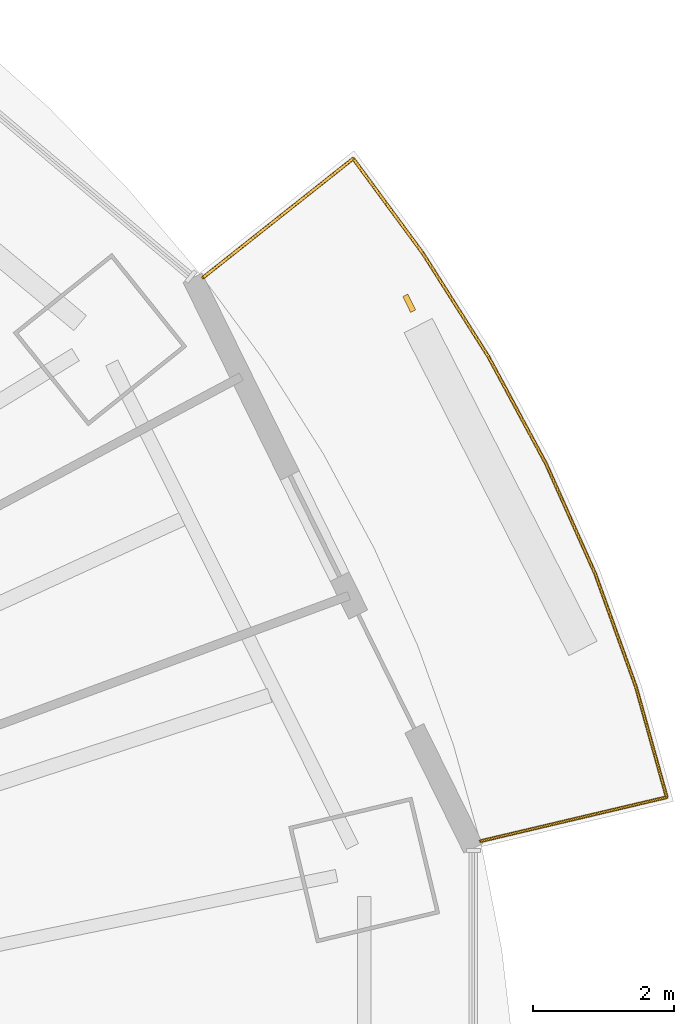
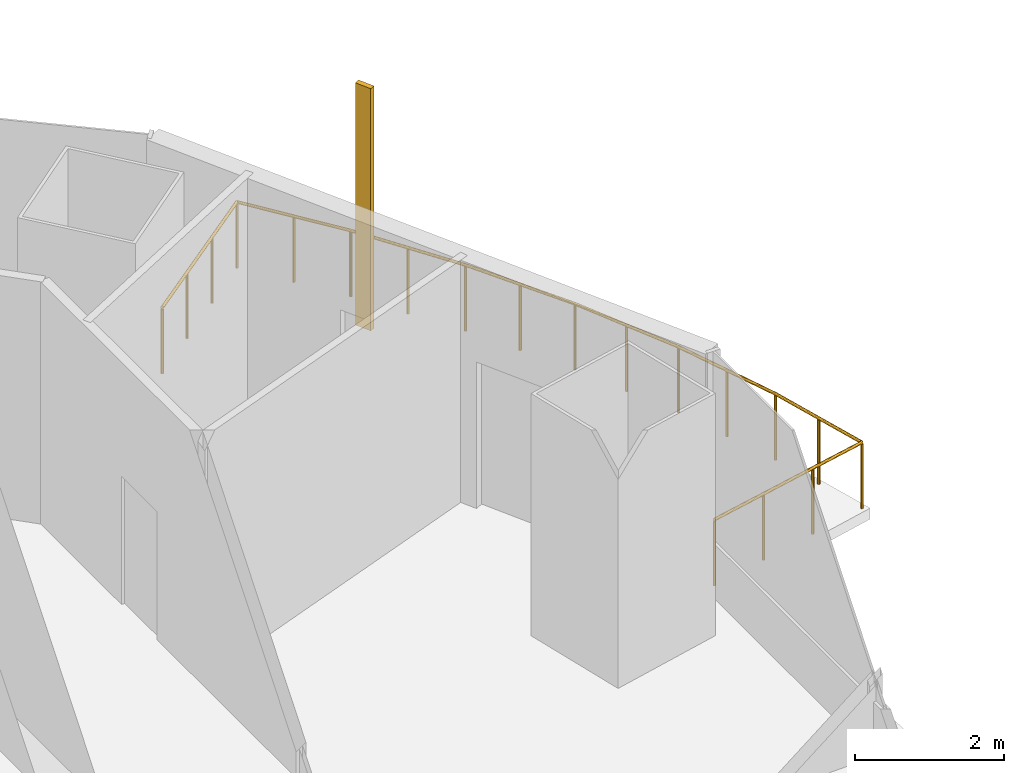
# One storey, part 15 of 16: 1 railing, 1 shading device.
"""IFC4 building model written with IfcOpenShell, lengths in metres."""

import ifcopenshell
import ifcopenshell.guid

model = None  # the IFC model being written
_history = None  # IfcOwnerHistory: only IFC2X3 demands one
_inside = {}  # id of a spatial element -> (the spatial element, [elements in it])
_under = {}  # id of a project, library or spatial element -> (it, [spatial elements below it])
_declared = {}  # id of a project -> (the project, [libraries it declares])
_typed = {}  # id of a type object -> (the type object, [elements of that type])
_made_of = {}  # id of a material, layer set ... -> (it, [elements and type objects made of it])


def new_model(schema):
    """Start an empty IFC model of exactly this schema.

    Asked for "IFC4X3", IfcOpenShell would pick the latest addendum, in which some entities
    have other attributes; the version numbers below select the first issue.
    IFC2X3 requires an IfcOwnerHistory on every rooted entity: one is made here for all.
    """
    global model, _history
    if schema == "IFC4X3":
        model = ifcopenshell.file(schema_version=(4, 3, 0, 0))
    else:
        model = ifcopenshell.file(schema=schema)
    _inside.clear()
    _under.clear()
    _declared.clear()
    _typed.clear()
    _made_of.clear()
    _history = None
    if model.schema == "IFC2X3":
        org = make("IfcOrganization", Name="unknown")
        user = make(
            "IfcPersonAndOrganization",
            ThePerson=make("IfcPerson", FamilyName="unknown"),
            TheOrganization=org,
        )
        app = make(
            "IfcApplication",
            ApplicationDeveloper=org,
            Version="unknown",
            ApplicationFullName="unknown",
            ApplicationIdentifier="unknown",
        )
        _history = make(
            "IfcOwnerHistory",
            OwningUser=user,
            OwningApplication=app,
            ChangeAction="ADDED",
            CreationDate=0,
        )
    return model


def make(cls, **values):
    """One entity of the class cls with the attributes given. An attribute that is None is left unset."""
    return model.create_entity(
        cls, **{name: value for name, value in values.items() if value is not None}
    )


def rooted(cls, **values):
    """An entity with a GlobalId (a new one), such as an element, a storey or a relation."""
    return make(cls, GlobalId=ifcopenshell.guid.new(), OwnerHistory=_history, **values)


def si_unit(unit_type, name, prefix=None):
    """IfcSIUnit, for example si_unit("LENGTHUNIT", "METRE", prefix="MILLI")."""
    return make("IfcSIUnit", UnitType=unit_type, Prefix=prefix, Name=name)


def assignment(units):
    """IfcUnitAssignment: the units of a project."""
    return None if units is None else make("IfcUnitAssignment", Units=units)


def point(xyz):
    """IfcCartesianPoint."""
    return None if xyz is None else make("IfcCartesianPoint", Coordinates=xyz)


def direction(xyz):
    """IfcDirection."""
    return None if xyz is None else make("IfcDirection", DirectionRatios=xyz)


def frame(location, z_axis=None, x_axis=None):
    """IfcAxis2Placement3D, a coordinate frame: its origin and axes. An axis left out is left unset."""
    return make(
        "IfcAxis2Placement3D",
        Location=point(location),
        Axis=direction(z_axis),
        RefDirection=direction(x_axis),
    )


def frame_2d(location, x_axis=None):
    """IfcAxis2Placement2D, a coordinate frame in the plane: its origin and x axis."""
    return make(
        "IfcAxis2Placement2D", Location=point(location), RefDirection=direction(x_axis)
    )


def origin():
    """The frame at (0, 0, 0) with its axes left unset."""
    return frame((0.0, 0.0, 0.0))


def origin_2d():
    """The frame at (0, 0) in the plane with its x axis left unset."""
    return frame_2d((0.0, 0.0))


def place(relative_to, where):
    """IfcLocalPlacement: puts the frame where relative to a parent placement (None: the world)."""
    return make(
        "IfcLocalPlacement", PlacementRelTo=relative_to, RelativePlacement=where
    )


def context(
    kind, dimensions, precision=None, world=None, true_north=None, identifier=None
):
    """IfcGeometricRepresentationContext, for example the 3D "Model" context."""
    return make(
        "IfcGeometricRepresentationContext",
        ContextIdentifier=identifier,
        ContextType=kind,
        CoordinateSpaceDimension=dimensions,
        Precision=precision,
        WorldCoordinateSystem=world,
        TrueNorth=true_north,
    )


def subcontext(parent, identifier, kind, view, scale=None):
    """IfcGeometricRepresentationSubContext, for example "Body" below "Model"."""
    return make(
        "IfcGeometricRepresentationSubContext",
        ContextIdentifier=identifier,
        ContextType=kind,
        ParentContext=parent,
        TargetScale=scale,
        TargetView=view,
    )


def project(units=None, contexts=None):
    """IfcProject with its units and contexts."""
    return rooted(
        "IfcProject",
        Name="project",
        RepresentationContexts=contexts,
        UnitsInContext=assignment(units),
    )


def spatial(cls, under=None, at=None, **own):
    """A site, building, storey or space (cls), placed at a placement, below another one or the project."""
    s = rooted(cls, ObjectPlacement=at, **own)
    if under is not None:
        _under.setdefault(under.id(), (under, []))[1].append(s)
    return s


def profile(cls, at=None, kind="AREA", **sizes):
    """A parametric profile (cls). Its sizes go by their IFC names, for example OverallWidth=200.0."""
    return make(cls, ProfileType=kind, Position=at, **sizes)


def rectangle(**sizes):
    """IfcRectangleProfileDef."""
    return profile("IfcRectangleProfileDef", **sizes)


def circle(**sizes):
    """IfcCircleProfileDef."""
    return profile("IfcCircleProfileDef", **sizes)


def extrude(swept, where, along, depth):
    """IfcExtrudedAreaSolid: the profile swept, set in the frame where, extruded along a direction by depth."""
    return make(
        "IfcExtrudedAreaSolid",
        SweptArea=swept,
        Position=where,
        ExtrudedDirection=direction(along),
        Depth=depth,
    )


def shape(context_of_items, identifier, shape_type, items):
    """IfcShapeRepresentation: the items that make up one representation, for example the "Body"."""
    return make(
        "IfcShapeRepresentation",
        ContextOfItems=context_of_items,
        RepresentationIdentifier=identifier,
        RepresentationType=shape_type,
        Items=items,
    )


def material(Name=None, Category=None):
    """IfcMaterial."""
    return make("IfcMaterial", Name=Name, Category=Category)


def material_profile(
    of_material, cross_section, Name=None, Category=None, Priority=None
):
    """IfcMaterialProfile: a cross section and its material."""
    return make(
        "IfcMaterialProfile",
        Name=Name,
        Material=of_material,
        Profile=cross_section,
        Priority=Priority,
        Category=Category,
    )


def profile_set(profiles, Name=None, composite=None):
    """IfcMaterialProfileSet."""
    return make(
        "IfcMaterialProfileSet",
        Name=Name,
        MaterialProfiles=profiles,
        CompositeProfile=composite,
    )


def made_of(thing, what):
    """Note that an element or type object is made of a material, layer set ...; save() writes the relation."""
    if what is not None:
        _made_of.setdefault(what.id(), (what, []))[1].append(thing)
    return thing


def type_object(cls, material=None, **own):
    """A type object (cls), such as IfcWallType, which elements share."""
    return made_of(rooted(cls, **own), material)


def element(
    cls,
    number,
    at=None,
    inside=None,
    cuts=None,
    type_object=None,
    material=None,
    context=None,
    identifier="Body",
    shape_type=None,
    held_by="IfcProductDefinitionShape",
    body=None,
    shapes=None,
    **own,
):
    """One element of the class cls, such as IfcWall. Its Tag is "e" and its number.

    at: its placement. inside: the storey or other place that contains it. cuts: it is an
    opening in that element (IfcRelVoidsElement). A single representation is given by context,
    identifier, shape_type and body (its items); several are given by shapes. held_by: the class
    of the entity that holds the representations. save() writes the other relations.
    """
    e = rooted(cls, Tag="e%d" % number, ObjectPlacement=at, **own)
    if body is not None:
        shapes = [shape(context, identifier, shape_type, body)]
    if shapes is not None:
        e.Representation = make(held_by, Representations=shapes)
    if inside is not None:
        _inside.setdefault(inside.id(), (inside, []))[1].append(e)
    if cuts is not None:
        rooted(
            "IfcRelVoidsElement", RelatingBuildingElement=cuts, RelatedOpeningElement=e
        )
    if type_object is not None:
        _typed.setdefault(type_object.id(), (type_object, []))[1].append(e)
    return made_of(e, material)


def aggregate(whole, parts):
    """IfcRelAggregates: a whole, such as a stair, and the parts it consists of."""
    return rooted("IfcRelAggregates", RelatingObject=whole, RelatedObjects=parts)


def save(model, path):
    """Write the relations noted so far, then the file.

    IfcRelAggregates (storeys below a building ...), IfcRelContainedInSpatialStructure (elements
    in a storey), IfcRelDefinesByType, IfcRelAssociatesMaterial and IfcRelDeclares: one each for
    every whole, place, type object, material and project.
    """
    for whole, parts in _under.values():
        aggregate(whole, parts)
    for where, things in _inside.values():
        rooted(
            "IfcRelContainedInSpatialStructure",
            RelatedElements=things,
            RelatingStructure=where,
        )
    for kind, things in _typed.values():
        rooted("IfcRelDefinesByType", RelatedObjects=things, RelatingType=kind)
    for what, things in _made_of.values():
        rooted("IfcRelAssociatesMaterial", RelatedObjects=things, RelatingMaterial=what)
    for by, libraries in _declared.values():
        rooted("IfcRelDeclares", RelatingContext=by, RelatedDefinitions=libraries)
    model.write(path)


model = new_model("IFC4")

# Units and contexts
model_context = context("Model", 3, precision=1e-05, world=origin(), true_north=direction((0.0, 1.0)))
body_context = subcontext(model_context, "Body", "Model", "MODEL_VIEW")
ifc_project = project(units=[si_unit("LENGTHUNIT", "METRE"), si_unit("AREAUNIT", "SQUARE_METRE"), si_unit("VOLUMEUNIT", "CUBIC_METRE"), si_unit("PLANEANGLEUNIT", "RADIAN"), si_unit("MASSUNIT", "GRAM", prefix="KILO")], contexts=[model_context])

# Site, building, storey
site_placement = place(None, origin())
site = spatial("IfcSite", under=ifc_project, at=site_placement, CompositionType="ELEMENT")
building_placement = place(site_placement, origin())
building = spatial("IfcBuilding", under=site, at=building_placement, Name="Marenthal Gate Tower", CompositionType="ELEMENT")
storey_placement = place(building_placement, frame((0.0, 0.0, 355.050048828125)))
storey = spatial("IfcBuildingStorey", under=building, at=storey_placement, Name="L80", CompositionType="ELEMENT", Elevation=355.050048828125)

# Railing
ifc_material_1 = material(Name="Stainless steel", Category="steel")
railing_type = type_object("IfcRailingType", Name="Balcony guard 1100", PredefinedType="GUARDRAIL", material=ifc_material_1)
railing_placement = place(storey_placement, frame((21.95556640625, 13.39111328125, 0.0)))
element("IfcRailing", 1, at=railing_placement, inside=storey, type_object=railing_type, Name="Balcony guard L80 bay 1", PredefinedType="GUARDRAIL", context=body_context, shape_type="SweptSolid", body=[
    extrude(circle(Radius=0.02392578125, at=origin_2d()), frame((0.0, 0.0, 1.076171875), z_axis=(0.783691471993, 0.620975869757, -0.014718896176), x_axis=(-0.621043146628, 0.783776377563, 0.0)), (0.0, 0.0, 1.0), 2.72021484375),
    extrude(circle(Radius=0.02392578125, at=origin_2d()), frame((2.1318359375, 1.689208984375, 1.0361328125), z_axis=(0.592490887892, -0.805577151963, 0.0), x_axis=(0.805577151963, 0.592490887892, 0.0)), (0.0, 0.0, 1.0), 1.67041015625),
    extrude(circle(Radius=0.02392578125, at=origin_2d()), frame((3.12158203125, 0.343505859375, 1.0361328125), z_axis=(0.535757035565, -0.84437219213, 0.0), x_axis=(0.84437219213, 0.535757035565, 0.0)), (0.0, 0.0, 1.0), 1.738037109375),
    extrude(circle(Radius=0.02392578125, at=origin_2d()), frame((4.052734375, -1.1240234375, 1.0361328125), z_axis=(0.473652895145, -0.880711607123, 0.0), x_axis=(0.880711607123, 0.473652895145, 0.0)), (0.0, 0.0, 1.0), 1.726806640625),
    extrude(circle(Radius=0.02392578125, at=origin_2d()), frame((4.87060546875, -2.644775390625, 1.0361328125), z_axis=(0.40799807197, -0.912982789142, 0.0), x_axis=(0.912982789142, 0.40799807197, 0.0)), (0.0, 0.0, 1.0), 1.716796875),
    extrude(circle(Radius=0.02392578125, at=origin_2d()), frame((5.571044921875, -4.212158203125, 1.0361328125), z_axis=(0.338780209169, -0.940865542931, 0.0), x_axis=(0.940865542931, 0.338780209169, 0.0)), (0.0, 0.0, 1.0), 1.7080078125),
    extrude(circle(Radius=0.02392578125, at=origin_2d()), frame((6.149658203125, -5.819091796875, 1.0361328125), z_axis=(0.268568220157, -0.963260666238, 0.0), x_axis=(0.963260666238, 0.268568220157, 0.0)), (0.0, 0.0, 1.0), 1.620849609375),
    extrude(circle(Radius=0.02392578125, at=origin_2d()), frame((6.5849609375, -7.38037109375, 1.0361328125), z_axis=(-0.973182110168, -0.229564721303, 0.014717988387), x_axis=(0.229589589404, -0.973287532252, 0.0)), (0.0, 0.0, 1.0), 2.720458984375),
    extrude(circle(Radius=0.02099609375, at=origin_2d()), origin(), (0.0, 0.0, 1.0), 1.052001953125),
    extrude(circle(Radius=0.02099609375, at=origin_2d()), frame((0.710693359375, 0.56298828125, -0.013427734375)), (0.0, 0.0, 1.0), 1.052001953125),
    extrude(circle(Radius=0.02099609375, at=origin_2d()), frame((1.421142578125, 1.126220703125, -0.026611328125)), (0.0, 0.0, 1.0), 1.052001953125),
    extrude(circle(Radius=0.02099609375, at=origin_2d()), frame((2.1318359375, 1.689208984375, -0.0400390625)), (0.0, 0.0, 1.0), 1.052001953125),
    extrude(circle(Radius=0.02099609375, at=origin_2d()), frame((2.626708984375, 1.016357421875, -0.0400390625)), (0.0, 0.0, 1.0), 1.052001953125),
    extrude(circle(Radius=0.02099609375, at=origin_2d()), frame((3.12158203125, 0.343505859375, -0.0400390625)), (0.0, 0.0, 1.0), 1.052001953125),
    extrude(circle(Radius=0.02099609375, at=origin_2d()), frame((3.587158203125, -0.39013671875, -0.0400390625)), (0.0, 0.0, 1.0), 1.052001953125),
    extrude(circle(Radius=0.02099609375, at=origin_2d()), frame((4.052734375, -1.1240234375, -0.0400390625)), (0.0, 0.0, 1.0), 1.052001953125),
    extrude(circle(Radius=0.02099609375, at=origin_2d()), frame((4.461669921875, -1.88427734375, -0.0400390625)), (0.0, 0.0, 1.0), 1.052001953125),
    extrude(circle(Radius=0.02099609375, at=origin_2d()), frame((4.87060546875, -2.644775390625, -0.0400390625)), (0.0, 0.0, 1.0), 1.052001953125),
    extrude(circle(Radius=0.02099609375, at=origin_2d()), frame((5.220703125, -3.428466796875, -0.0400390625)), (0.0, 0.0, 1.0), 1.052001953125),
    extrude(circle(Radius=0.02099609375, at=origin_2d()), frame((5.571044921875, -4.212158203125, -0.0400390625)), (0.0, 0.0, 1.0), 1.052001953125),
    extrude(circle(Radius=0.02099609375, at=origin_2d()), frame((5.8603515625, -5.015625, -0.0400390625)), (0.0, 0.0, 1.0), 1.052001953125),
    extrude(circle(Radius=0.02099609375, at=origin_2d()), frame((6.149658203125, -5.819091796875, -0.0400390625)), (0.0, 0.0, 1.0), 1.052001953125),
    extrude(circle(Radius=0.02099609375, at=origin_2d()), frame((6.3671875, -6.599609375, -0.0400390625)), (0.0, 0.0, 1.0), 1.052001953125),
    extrude(circle(Radius=0.02099609375, at=origin_2d()), frame((6.5849609375, -7.38037109375, -0.0400390625)), (0.0, 0.0, 1.0), 1.052001953125),
    extrude(circle(Radius=0.02099609375, at=origin_2d()), frame((5.702392578125, -7.588623046875, -0.026611328125)), (0.0, 0.0, 1.0), 1.052001953125),
    extrude(circle(Radius=0.02099609375, at=origin_2d()), frame((4.820068359375, -7.796630859375, -0.013427734375)), (0.0, 0.0, 1.0), 1.052001953125),
    extrude(circle(Radius=0.02099609375, at=origin_2d()), frame((3.9375, -8.0048828125, 0.0)), (0.0, 0.0, 1.0), 1.052001953125),
])

# Shading device
ifc_material_2 = material(Name="Terracotta", Category="masonry")
ifc_material_profile = material_profile(ifc_material_2, rectangle(XDim=0.25, YDim=0.080078125, at=origin_2d()), Name="Terracotta baguette 250x80")
ifc_profile_set = profile_set([ifc_material_profile], Name="Terracotta")
shading_device_type = type_object("IfcShadingDeviceType", Name="Terracotta BAGUETTE SCREEN 250x80", PredefinedType="USERDEFINED", material=ifc_profile_set)
shading_device_placement = place(storey_placement, frame((24.883056640625, 13.0263671875, -0.0400390625), z_axis=(0.0, 0.0, 1.0), x_axis=(-0.441181376026, 0.897417959174, 0.0)))
element("IfcShadingDevice", 2, at=shading_device_placement, inside=storey, type_object=shading_device_type, Name="Terracotta BAGUETTE L80 bay 1R", ObjectType="BAGUETTE SCREEN", PredefinedType="USERDEFINED", context=body_context, shape_type="SweptSolid", body=[
    extrude(rectangle(XDim=0.25, YDim=0.080078125, at=origin_2d()), origin(), (0.0, 0.0, 1.0), 3.969970703125),
])

save(model, "model.ifc")
